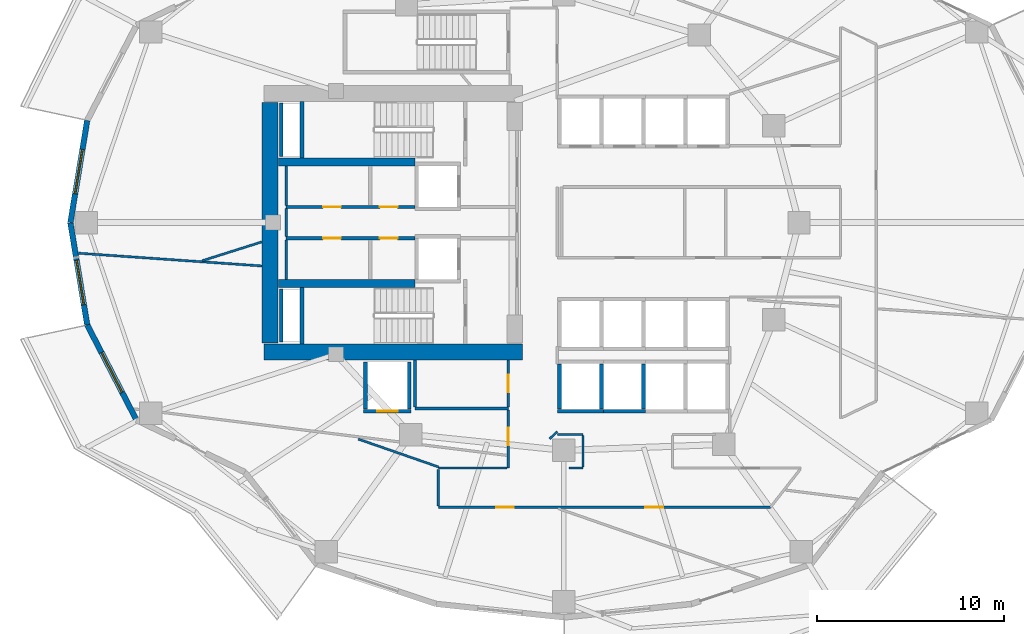
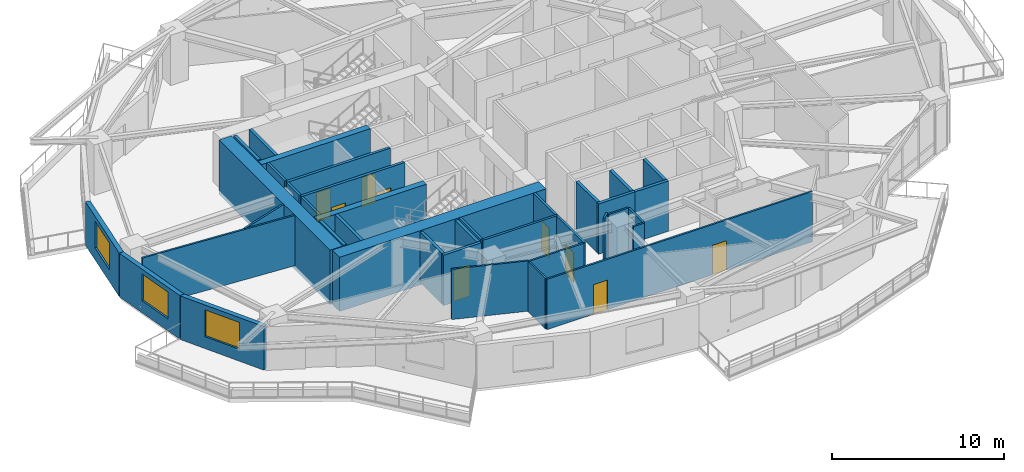
# One storey, part 6 of 13: 38 walls, 9 doors, 3 windows, 12 openings.
"""IFC4 building model written with IfcOpenShell, lengths in metres."""

from ifc_helpers import new_model, si_unit, direction, frame, frame_2d, origin, place, context, subcontext, project, spatial, rectangle, extrude, material, layer, layer_set, type_object, element, fill, save


model = new_model("IFC4")

# Units and contexts
model_context = context("Model", 3, precision=1e-05, world=origin(), true_north=direction((0.0, 1.0)))
body_context = subcontext(model_context, "Body", "Model", "MODEL_VIEW")
ifc_project = project(units=[si_unit("LENGTHUNIT", "METRE"), si_unit("AREAUNIT", "SQUARE_METRE"), si_unit("VOLUMEUNIT", "CUBIC_METRE"), si_unit("PLANEANGLEUNIT", "RADIAN"), si_unit("MASSUNIT", "GRAM", prefix="KILO")], contexts=[model_context])

# Site, building, storey
site_placement = place(None, origin())
site = spatial("IfcSite", under=ifc_project, at=site_placement, CompositionType="ELEMENT")
building_placement = place(site_placement, origin())
building = spatial("IfcBuilding", under=site, at=building_placement, Name="Kolvaren Gate Tower and Convention Centre", CompositionType="ELEMENT")
storey_placement = place(building_placement, frame((0.0, 0.0, 76.550048828125)))
storey = spatial("IfcBuildingStorey", under=building, at=storey_placement, Name="L18", CompositionType="ELEMENT", Elevation=76.550048828125)

# Wall, openings, doors
ifc_material_1 = material(Name="Autoclaved Aerated Masonry Blockwork Class 4 (4.0 MPa)", Category="masonry")
ifc_layer_1 = layer(ifc_material_1, 0.179931640625)
ifc_layer_set_1 = layer_set([ifc_layer_1], Name="Autoclaved Aerated Masonry Blockwork Class 4 (4.0 MPa)")
wall_type_1 = type_object("IfcWallType", Name="ARCH-WL-COMP-180", PredefinedType="SOLIDWALL", material=ifc_layer_set_1)
wall_1_placement = place(storey_placement, frame((15.25, 27.840087890625, 0.0), z_axis=(0.0, 0.0, 1.0), x_axis=(1.0, 0.0, 0.0)))
wall_1 = element("IfcWall", 1, at=wall_1_placement, inside=storey, type_object=wall_type_1, Name="Interior Partition WL-L18-INT-004", PredefinedType="SOLIDWALL", context=body_context, shape_type="SweptSolid", body=[
    extrude(rectangle(XDim=6.89990234375, YDim=0.179931640625, at=frame_2d((3.449951171875, 0.0))), origin(), (0.0, 0.0, 1.0), 3.570068359375),
])
opening_1_placement = place(wall_1_placement, frame((5.02001953125, 0.0, 0.0)))
opening_1 = element("IfcOpeningElement", 2, at=opening_1_placement, cuts=wall_1, Name="Opening DR-01", PredefinedType="OPENING", context=body_context, shape_type="SweptSolid", body=[
    extrude(rectangle(XDim=0.949951171875, YDim=2.10009765625, at=frame_2d((0.47509765625, 1.050048828125))), frame((0.0, 0.099853515625, 0.0), z_axis=(0.0, -1.0, 0.0), x_axis=(1.0, 0.0, 0.0)), (0.0, 0.0, 1.0), 0.199951171875),
])
opening_2_placement = place(wall_1_placement, frame((1.97998046875, 0.0, 0.0)))
opening_2 = element("IfcOpeningElement", 3, at=opening_2_placement, cuts=wall_1, Name="Opening DR-01", PredefinedType="OPENING", context=body_context, shape_type="SweptSolid", body=[
    extrude(rectangle(XDim=0.949951171875, YDim=2.10009765625, at=frame_2d((0.47509765625, 1.050048828125))), frame((0.0, 0.099853515625, 0.0), z_axis=(0.0, -1.0, 0.0), x_axis=(1.0, 0.0, 0.0)), (0.0, 0.0, 1.0), 0.199951171875),
])
ifc_material_2 = material(Name="Painted Architectural Steelwork ASTM A500 Grade C 345 MPa", Category="steel")
door_type_1 = type_object("IfcDoorType", Name="ARCH-DR-RISER-950", OperationType="SINGLE_SWING_RIGHT", PredefinedType="DOOR", material=ifc_material_2)
door_1_placement = place(opening_1_placement, origin())
door_1 = element("IfcDoor", 4, at=door_1_placement, inside=storey, type_object=door_type_1, Name="Electrical Switchgear Closet Door", OperationType="SINGLE_SWING_LEFT", OverallHeight=2.10009765625, OverallWidth=0.949951171875, PredefinedType="DOOR", context=body_context, shape_type="SweptSolid", body=[
    extrude(rectangle(XDim=0.949951171875, YDim=2.10009765625, at=frame_2d((0.47509765625, 1.050048828125))), frame((0.0, 0.02490234375, 0.0), z_axis=(0.0, -1.0, 0.0), x_axis=(1.0, 0.0, 0.0)), (0.0, 0.0, 1.0), 0.050048828125),
])
fill(opening_1, door_1)
door_2_placement = place(opening_2_placement, origin())
door_2 = element("IfcDoor", 5, at=door_2_placement, inside=storey, type_object=door_type_1, Name="Staff Powder Washroom Door", OperationType="SINGLE_SWING_LEFT", OverallHeight=2.10009765625, OverallWidth=0.949951171875, PredefinedType="DOOR", context=body_context, shape_type="SweptSolid", body=[
    extrude(rectangle(XDim=0.949951171875, YDim=2.10009765625, at=frame_2d((0.47509765625, 1.050048828125))), frame((0.0, 0.02490234375, 0.0), z_axis=(0.0, -1.0, 0.0), x_axis=(1.0, 0.0, 0.0)), (0.0, 0.0, 1.0), 0.050048828125),
])
fill(opening_2, door_2)

wall_2_placement = place(storey_placement, frame((15.25, 26.159912109375, 0.0), z_axis=(0.0, 0.0, 1.0), x_axis=(1.0, 0.0, 0.0)))
wall_2 = element("IfcWall", 6, at=wall_2_placement, inside=storey, type_object=wall_type_1, Name="Interior Partition WL-L18-INT-005", PredefinedType="SOLIDWALL", context=body_context, shape_type="SweptSolid", body=[
    extrude(rectangle(XDim=6.89990234375, YDim=0.179931640625, at=frame_2d((3.449951171875, 0.0))), origin(), (0.0, 0.0, 1.0), 3.570068359375),
])
opening_3_placement = place(wall_2_placement, frame((5.02001953125, 0.0, 0.0)))
opening_3 = element("IfcOpeningElement", 7, at=opening_3_placement, cuts=wall_2, Name="Opening DR-01", PredefinedType="OPENING", context=body_context, shape_type="SweptSolid", body=[
    extrude(rectangle(XDim=0.949951171875, YDim=2.10009765625, at=frame_2d((0.47509765625, 1.050048828125))), frame((0.0, 0.099853515625, 0.0), z_axis=(0.0, -1.0, 0.0), x_axis=(1.0, 0.0, 0.0)), (0.0, 0.0, 1.0), 0.199951171875),
])
opening_4_placement = place(wall_2_placement, frame((1.97998046875, 0.0, 0.0)))
opening_4 = element("IfcOpeningElement", 8, at=opening_4_placement, cuts=wall_2, Name="Opening DR-01", PredefinedType="OPENING", context=body_context, shape_type="SweptSolid", body=[
    extrude(rectangle(XDim=0.949951171875, YDim=2.10009765625, at=frame_2d((0.47509765625, 1.050048828125))), frame((0.0, 0.099853515625, 0.0), z_axis=(0.0, -1.0, 0.0), x_axis=(1.0, 0.0, 0.0)), (0.0, 0.0, 1.0), 0.199951171875),
])
door_3_placement = place(opening_3_placement, origin())
door_3 = element("IfcDoor", 9, at=door_3_placement, inside=storey, type_object=door_type_1, Name="Domestic Water Meter Closet Door", OperationType="SINGLE_SWING_RIGHT", OverallHeight=2.10009765625, OverallWidth=0.949951171875, PredefinedType="DOOR", context=body_context, shape_type="SweptSolid", body=[
    extrude(rectangle(XDim=0.949951171875, YDim=2.10009765625, at=frame_2d((0.47509765625, 1.050048828125))), frame((0.0, 0.02490234375, 0.0), z_axis=(0.0, -1.0, 0.0), x_axis=(1.0, 0.0, 0.0)), (0.0, 0.0, 1.0), 0.050048828125),
])
fill(opening_3, door_3)
door_4_placement = place(opening_4_placement, origin())
door_4 = element("IfcDoor", 10, at=door_4_placement, inside=storey, type_object=door_type_1, Name="Janitor Equipment Store Door", OperationType="SINGLE_SWING_RIGHT", OverallHeight=2.10009765625, OverallWidth=0.949951171875, PredefinedType="DOOR", context=body_context, shape_type="SweptSolid", body=[
    extrude(rectangle(XDim=0.949951171875, YDim=2.10009765625, at=frame_2d((0.47509765625, 1.050048828125))), frame((0.0, 0.02490234375, 0.0), z_axis=(0.0, -1.0, 0.0), x_axis=(1.0, 0.0, 0.0)), (0.0, 0.0, 1.0), 0.050048828125),
])
fill(opening_4, door_4)

# Walls
ifc_material_3 = material(Name="Fire-Rated Acoustic Gypsum Stud Partition", Category="gypsum")
ifc_layer_2 = layer(ifc_material_3, 0.1201171875)
ifc_layer_set_2 = layer_set([ifc_layer_2], Name="Fire-Rated Acoustic Gypsum Stud Partition")
wall_type_2 = type_object("IfcWallType", Name="ARCH-WL-PART-120", PredefinedType="PARTITIONING", material=ifc_layer_set_2)
wall_3_placement = place(storey_placement, frame((29.780029296875, 15.64990234375, 0.0), z_axis=(0.0, 0.0, 1.0), x_axis=(1.0, 0.0, 0.0)))
element("IfcWall", 11, at=wall_3_placement, inside=storey, type_object=wall_type_2, Name="Interior Partition WL-L18-INT-017", PredefinedType="PARTITIONING", context=body_context, shape_type="SweptSolid", body=[
    extrude(rectangle(XDim=1.369873046875, YDim=0.1201171875, at=frame_2d((0.68505859375, 0.0))), origin(), (0.0, 0.0, 1.0), 3.570068359375),
])
wall_4_placement = place(storey_placement, frame((23.39990234375, 13.85009765625, 0.0), z_axis=(0.0, 0.0, 1.0), x_axis=(1.0, 0.0, 0.0)))
element("IfcWall", 12, at=wall_4_placement, inside=storey, type_object=wall_type_2, Name="Interior Partition WL-L18-INT-020", PredefinedType="PARTITIONING", context=body_context, shape_type="SweptSolid", body=[
    extrude(rectangle(XDim=3.673095703125, YDim=0.1201171875, at=frame_2d((1.83642578125, 0.0))), origin(), (0.0, 0.0, 1.0), 3.570068359375),
])
wall_5_placement = place(storey_placement, frame((30.39111328125, 13.85009765625, 0.0), z_axis=(0.0, 0.0, 1.0), x_axis=(1.0, 0.0, 0.0)))
element("IfcWall", 13, at=wall_5_placement, inside=storey, type_object=wall_type_2, Name="Interior Partition WL-L18-INT-021", PredefinedType="PARTITIONING", context=body_context, shape_type="SweptSolid", body=[
    extrude(rectangle(XDim=0.7587890625, YDim=0.1201171875, at=frame_2d((0.37939453125, 0.0))), origin(), (0.0, 0.0, 1.0), 3.570068359375),
])

# Wall, openings, doors
wall_6_placement = place(storey_placement, frame((23.39990234375, 11.75, 0.0), z_axis=(0.0, 0.0, 1.0), x_axis=(1.0, 0.0, 0.0)))
wall_6 = element("IfcWall", 14, at=wall_6_placement, inside=storey, type_object=wall_type_2, Name="Interior Partition WL-L18-INT-024", PredefinedType="PARTITIONING", context=body_context, shape_type="SweptSolid", body=[
    extrude(rectangle(XDim=17.798095703125, YDim=0.1201171875, at=frame_2d((8.89892578125, 0.0))), origin(), (0.0, 0.0, 1.0), 3.570068359375),
])
opening_5_placement = place(wall_6_placement, frame((3.09375, 0.0, 0.0)))
opening_5 = element("IfcOpeningElement", 15, at=opening_5_placement, cuts=wall_6, Name="Opening DR-01", PredefinedType="OPENING", context=body_context, shape_type="SweptSolid", body=[
    extrude(rectangle(XDim=0.949951171875, YDim=2.10009765625, at=frame_2d((0.47509765625, 1.050048828125))), frame((0.0, 0.070068359375, 0.0), z_axis=(0.0, -1.0, 0.0), x_axis=(1.0, 0.0, 0.0)), (0.0, 0.0, 1.0), 0.14013671875),
])
opening_6_placement = place(wall_6_placement, frame((11.09130859375, 0.0, 0.0)))
opening_6 = element("IfcOpeningElement", 16, at=opening_6_placement, cuts=wall_6, Name="Opening DR-01", PredefinedType="OPENING", context=body_context, shape_type="SweptSolid", body=[
    extrude(rectangle(XDim=0.949951171875, YDim=2.10009765625, at=frame_2d((0.47509765625, 1.050048828125))), frame((0.0, 0.070068359375, 0.0), z_axis=(0.0, -1.0, 0.0), x_axis=(1.0, 0.0, 0.0)), (0.0, 0.0, 1.0), 0.14013671875),
])
door_5_placement = place(opening_5_placement, origin())
door_5 = element("IfcDoor", 17, at=door_5_placement, inside=storey, type_object=door_type_1, Name="Operations Support Staff Centre Door", OperationType="SINGLE_SWING_LEFT", OverallHeight=2.10009765625, OverallWidth=0.949951171875, PredefinedType="DOOR", context=body_context, shape_type="SweptSolid", body=[
    extrude(rectangle(XDim=0.949951171875, YDim=2.10009765625, at=frame_2d((0.47509765625, 1.050048828125))), frame((0.0, 0.02490234375, 0.0), z_axis=(0.0, -1.0, 0.0), x_axis=(1.0, 0.0, 0.0)), (0.0, 0.0, 1.0), 0.050048828125),
])
fill(opening_5, door_5)
door_6_placement = place(opening_6_placement, origin())
door_6 = element("IfcDoor", 18, at=door_6_placement, inside=storey, type_object=door_type_1, Name="First-Aid Crew Room Door", OperationType="SINGLE_SWING_RIGHT", OverallHeight=2.10009765625, OverallWidth=0.949951171875, PredefinedType="DOOR", context=body_context, shape_type="SweptSolid", body=[
    extrude(rectangle(XDim=0.949951171875, YDim=2.10009765625, at=frame_2d((0.47509765625, 1.050048828125))), frame((0.0, 0.02490234375, 0.0), z_axis=(0.0, -1.0, 0.0), x_axis=(1.0, 0.0, 0.0)), (0.0, 0.0, 1.0), 0.050048828125),
])
fill(opening_6, door_6)

# Walls
wall_7_placement = place(storey_placement, frame((23.39990234375, 11.81201171875, 0.0), z_axis=(0.0, 0.0, 1.0), x_axis=(0.0, 1.0, 0.0)))
element("IfcWall", 19, at=wall_7_placement, inside=storey, type_object=wall_type_2, Name="Interior Partition WL-L18-INT-025", PredefinedType="PARTITIONING", context=body_context, shape_type="SweptSolid", body=[
    extrude(rectangle(XDim=1.97607421875, YDim=0.1201171875, at=frame_2d((0.988037109375, 0.0))), origin(), (0.0, 0.0, 1.0), 3.570068359375),
])
wall_8_placement = place(storey_placement, frame((29.366943359375, 15.422119140625, 0.0), z_axis=(0.0, 0.0, 1.0), x_axis=(0.730667420492, 0.682733564893, 0.0)))
element("IfcWall", 20, at=wall_8_placement, inside=storey, type_object=wall_type_2, Name="Interior Partition WL-L18-INT-040", PredefinedType="PARTITIONING", context=body_context, shape_type="SweptSolid", body=[
    extrude(rectangle(XDim=0.5654296875, YDim=0.1201171875, at=frame_2d((0.28271484375, 0.0))), origin(), (0.0, 0.0, 1.0), 3.570068359375),
])
wall_9_placement = place(storey_placement, frame((31.14990234375, 13.912109375, 0.0), z_axis=(0.0, 0.0, 1.0), x_axis=(0.0, 1.0, 0.0)))
element("IfcWall", 21, at=wall_9_placement, inside=storey, type_object=wall_type_2, Name="Interior Partition WL-L18-INT-041", PredefinedType="PARTITIONING", context=body_context, shape_type="SweptSolid", body=[
    extrude(rectangle(XDim=1.67578125, YDim=0.1201171875, at=frame_2d((0.837890625, 0.0))), origin(), (0.0, 0.0, 1.0), 3.570068359375),
])
wall_10_placement = place(storey_placement, frame((4.1103515625, 25.365966796875, 0.0), z_axis=(0.0, 0.0, 1.0), x_axis=(0.997584166379, -0.069468201287, 0.0)))
element("IfcWall", 22, at=wall_10_placement, inside=storey, type_object=wall_type_2, Name="Interior Partition WL-L18-INT-042", PredefinedType="PARTITIONING", context=body_context, shape_type="SweptSolid", body=[
    extrude(rectangle(XDim=9.861572265625, YDim=0.1201171875, at=frame_2d((4.9306640625, 0.0))), origin(), (0.0, 0.0, 1.0), 3.570068359375),
])
wall_11_placement = place(storey_placement, frame((19.11865234375, 15.403564453125, 0.0), z_axis=(0.0, 0.0, 1.0), x_axis=(0.94466257089, -0.32804363606, 0.0)))
element("IfcWall", 23, at=wall_11_placement, inside=storey, type_object=wall_type_2, Name="Interior Partition WL-L18-INT-047", PredefinedType="PARTITIONING", context=body_context, shape_type="SweptSolid", body=[
    extrude(rectangle(XDim=4.546630859375, YDim=0.1201171875, at=frame_2d((2.2734375, 0.0))), origin(), (0.0, 0.0, 1.0), 3.570068359375),
])
wall_12_placement = place(storey_placement, frame((10.76220703125, 24.965087890625, 0.0), z_axis=(0.0, 0.0, 1.0), x_axis=(0.953640082092, 0.300949487168, 0.0)))
element("IfcWall", 24, at=wall_12_placement, inside=storey, type_object=wall_type_2, Name="Interior Partition WL-L18-INT-049", PredefinedType="PARTITIONING", context=body_context, shape_type="SweptSolid", body=[
    extrude(rectangle(XDim=3.340576171875, YDim=0.1201171875, at=frame_2d((1.67041015625, 0.0))), origin(), (0.0, 0.0, 1.0), 3.570068359375),
])

# Wall, opening, door
ifc_layer_3 = layer(ifc_material_1, 0.199951171875)
ifc_layer_set_3 = layer_set([ifc_layer_3], Name="Autoclaved Aerated Masonry Blockwork Class 4 (4.0 MPa)")
wall_type_3 = type_object("IfcWallType", Name="ARCH-WL-SHAFT-200", PredefinedType="SOLIDWALL", material=ifc_layer_set_3)
wall_13_placement = place(storey_placement, frame((19.39990234375, 16.89990234375, 0.0), z_axis=(0.0, 0.0, 1.0), x_axis=(1.0, 0.0, 0.0)))
wall_13 = element("IfcWall", 25, at=wall_13_placement, inside=storey, type_object=wall_type_3, Name="Elevator SV-01 L18 Fire Shaft Wall S", PredefinedType="SOLIDWALL", context=body_context, shape_type="SweptSolid", body=[
    extrude(rectangle(XDim=2.550048828125, YDim=0.199951171875, at=frame_2d((1.27490234375, 0.0))), origin(), (0.0, 0.0, 1.0), 3.570068359375),
])
opening_7_placement = place(wall_13_placement, frame((0.72509765625, 0.0, 0.0)))
opening_7 = element("IfcOpeningElement", 26, at=opening_7_placement, cuts=wall_13, Name="Opening LD", PredefinedType="OPENING", context=body_context, shape_type="SweptSolid", body=[
    extrude(rectangle(XDim=1.10009765625, YDim=2.199951171875, at=frame_2d((0.550048828125, 1.10009765625))), frame((0.0, 0.10986328125, 0.0), z_axis=(0.0, -1.0, 0.0), x_axis=(1.0, 0.0, 0.0)), (0.0, 0.0, 1.0), 0.219970703125),
])
ifc_material_4 = material(Name="Brushed Stainless Steel Grade 316L", Category="steel")
door_type_2 = type_object("IfcDoorType", Name="ARCH-DR-LIFT-1100", OperationType="SLIDING_TO_LEFT", PredefinedType="DOOR", material=ifc_material_4)
door_7_placement = place(opening_7_placement, origin())
door_7 = element("IfcDoor", 27, at=door_7_placement, inside=storey, type_object=door_type_2, Name="Elevator SV-01 L18 Sliding Landing Door", OperationType="SLIDING_TO_LEFT", OverallHeight=2.199951171875, OverallWidth=1.10009765625, PredefinedType="DOOR", context=body_context, shape_type="SweptSolid", body=[
    extrude(rectangle(XDim=1.10009765625, YDim=2.199951171875, at=frame_2d((0.550048828125, 1.10009765625))), frame((0.0, 0.02490234375, 0.0), z_axis=(0.0, -1.0, 0.0), x_axis=(1.0, 0.0, 0.0)), (0.0, 0.0, 1.0), 0.050048828125),
])
fill(opening_7, door_7)

# Walls
for number, where, z_axis, x_axis, name in (
    (28, (19.5, 17.010009765625, 0.0), (0.0, 0.0, 1.0), (0.0, 1.0, 0.0), "Elevator SV-01 L18 Fire Shaft Wall W"),
    (29, (21.85009765625, 17.010009765625, 0.0), (0.0, 0.0, 1.0), (0.0, 1.0, 0.0), "Elevator SV-01 L18 Fire Shaft Wall E"),
):
    element("IfcWall", number, at=place(storey_placement, frame(where, z_axis=z_axis, x_axis=x_axis)), inside=storey, type_object=wall_type_3, Name=name, PredefinedType="SOLIDWALL", context=body_context, shape_type="SweptSolid", body=[
        extrude(rectangle(XDim=2.530029296875, YDim=0.199951171875, at=frame_2d((1.26513671875, 0.0))), origin(), (0.0, 0.0, 1.0), 3.570068359375),
    ])
wall_14_placement = place(storey_placement, frame((29.800048828125, 16.89990234375, 0.0), z_axis=(0.0, 0.0, 1.0), x_axis=(1.0, 0.0, 0.0)))
element("IfcWall", 30, at=wall_14_placement, inside=storey, type_object=wall_type_3, Name="Elevator PL-05 L18 Fire Shaft Wall S", PredefinedType="SOLIDWALL", context=body_context, shape_type="SweptSolid", body=[
    extrude(rectangle(XDim=2.449951171875, YDim=0.199951171875, at=frame_2d((1.22509765625, 0.0))), origin(), (0.0, 0.0, 1.0), 3.570068359375),
])
for number, where, z_axis, x_axis, name in (
    (31, (29.89990234375, 17.010009765625, 0.0), (0.0, 0.0, 1.0), (0.0, 1.0, 0.0), "Elevator PL-05 L18 Fire Shaft Wall W"),
    (32, (32.14990234375, 17.010009765625, 0.0), (0.0, 0.0, 1.0), (0.0, 1.0, 0.0), "Elevator PL-05 L18 Fire Shaft Wall E"),
):
    element("IfcWall", number, at=place(storey_placement, frame(where, z_axis=z_axis, x_axis=x_axis)), inside=storey, type_object=wall_type_3, Name=name, PredefinedType="SOLIDWALL", context=body_context, shape_type="SweptSolid", body=[
        extrude(rectangle(XDim=2.429931640625, YDim=0.199951171875, at=frame_2d((1.21484375, 0.0))), origin(), (0.0, 0.0, 1.0), 3.570068359375),
    ])
wall_15_placement = place(storey_placement, frame((32.25, 16.89990234375, 0.0), z_axis=(0.0, 0.0, 1.0), x_axis=(1.0, 0.0, 0.0)))
element("IfcWall", 33, at=wall_15_placement, inside=storey, type_object=wall_type_3, Name="Elevator PL-06 L18 Fire Shaft Wall S", PredefinedType="SOLIDWALL", context=body_context, shape_type="SweptSolid", body=[
    extrude(rectangle(XDim=2.25, YDim=0.199951171875, at=frame_2d((1.125, 0.0))), origin(), (0.0, 0.0, 1.0), 3.570068359375),
])
wall_16_placement = place(storey_placement, frame((34.39990234375, 17.010009765625, 0.0), z_axis=(0.0, 0.0, 1.0), x_axis=(0.0, 1.0, 0.0)))
element("IfcWall", 34, at=wall_16_placement, inside=storey, type_object=wall_type_3, Name="Elevator PL-06 L18 Fire Shaft Wall E", PredefinedType="SOLIDWALL", context=body_context, shape_type="SweptSolid", body=[
    extrude(rectangle(XDim=2.429931640625, YDim=0.199951171875, at=frame_2d((1.21484375, 0.0))), origin(), (0.0, 0.0, 1.0), 3.570068359375),
])
for number, where, z_axis, x_axis, name in (
    (35, (14.989990234375, 30.550048828125, 0.0), (0.0, 0.0, 1.0), (0.0, 1.0, 0.0), "Vertical Shaft HVR L18 EI-120 Enclosure Wall W"),
    (36, (14.989990234375, 20.60009765625, 0.0), (0.0, 0.0, 1.0), (0.0, 1.0, 0.0), "Vertical Shaft MPR L18 EI-120 Enclosure Wall W"),
):
    element("IfcWall", number, at=place(storey_placement, frame(where, z_axis=z_axis, x_axis=x_axis)), inside=storey, type_object=wall_type_3, Name=name, PredefinedType="SOLIDWALL", context=body_context, shape_type="SweptSolid", body=[
        extrude(rectangle(XDim=2.849853515625, YDim=0.199951171875, at=frame_2d((1.4248046875, 0.0))), origin(), (0.0, 0.0, 1.0), 3.570068359375),
    ])

# Wall, opening, window
ifc_material_5 = material(Name="Piedmont Cream Honed Limestone Cladding", Category="masonry")
ifc_layer_4 = layer(ifc_material_5, 0.300048828125)
ifc_layer_set_4 = layer_set([ifc_layer_4], Name="Piedmont Cream Honed Limestone Cladding")
wall_type_4 = type_object("IfcWallType", Name="ARCH-WL-STONE-300", PredefinedType="SOLIDWALL", material=ifc_layer_set_4)
wall_17_placement = place(storey_placement, frame((3.6875, 27.0, 0.0), z_axis=(0.0, 0.0, 1.0), x_axis=(0.162386212206, 0.986727276447, 0.0)))
wall_17 = element("IfcWall", 37, at=wall_17_placement, inside=storey, type_object=wall_type_4, Name="Tower L18 Honed Stone Spandrel Wall EW-11", PredefinedType="SOLIDWALL", context=body_context, shape_type="SweptSolid", body=[
    extrude(rectangle(XDim=5.5478515625, YDim=0.300048828125, at=frame_2d((2.77392578125, 0.0))), origin(), (0.0, 0.0, 1.0), 3.093017578125),
])
opening_8_placement = place(wall_17_placement, frame((1.573974609375, 0.0, 0.85009765625)))
opening_8 = element("IfcOpeningElement", 38, at=opening_8_placement, cuts=wall_17, Name="Opening W-01", PredefinedType="OPENING", context=body_context, shape_type="SweptSolid", body=[
    extrude(rectangle(XDim=2.39990234375, YDim=1.89990234375, at=frame_2d((1.199951171875, 0.949951171875))), frame((0.0, 0.159912109375, 0.0), z_axis=(0.0, -1.0, 0.0), x_axis=(1.0, 0.0, 0.0)), (0.0, 0.0, 1.0), 0.320068359375),
])
ifc_material_6 = material(Name="Low-E Triple Insulated Glazing Unit 44 mm", Category="glass")
window_type = type_object("IfcWindowType", Name="ARCH-WN-OFF-2400", PartitioningType="SINGLE_PANEL", PredefinedType="WINDOW", material=ifc_material_6)
window_1_placement = place(opening_8_placement, origin())
window_1 = element("IfcWindow", 39, at=window_1_placement, inside=storey, type_object=window_type, Name="Tower L18 Punched Stone Facade Window W-11", OverallHeight=1.89990234375, OverallWidth=2.39990234375, PartitioningType="SINGLE_PANEL", PredefinedType="WINDOW", context=body_context, shape_type="SweptSolid", body=[
    extrude(rectangle(XDim=2.39990234375, YDim=1.89990234375, at=frame_2d((1.199951171875, 0.949951171875))), frame((0.0, 0.030029296875, 0.0), z_axis=(0.0, -1.0, 0.0), x_axis=(1.0, 0.0, 0.0)), (0.0, 0.0, 1.0), 0.06005859375),
])
fill(opening_8, window_1)

wall_18_placement = place(storey_placement, frame((3.6875, 27.0, 0.0), z_axis=(0.0, 0.0, 1.0), x_axis=(0.162386212206, -0.986727276447, 0.0)))
wall_18 = element("IfcWall", 40, at=wall_18_placement, inside=storey, type_object=wall_type_4, Name="Tower L18 Honed Stone Spandrel Wall EW-12", PredefinedType="SOLIDWALL", context=body_context, shape_type="SweptSolid", body=[
    extrude(rectangle(XDim=5.5478515625, YDim=0.300048828125, at=frame_2d((2.77392578125, 0.0))), origin(), (0.0, 0.0, 1.0), 3.093017578125),
])
opening_9_placement = place(wall_18_placement, frame((2.050048828125, 0.0, 0.85009765625)))
opening_9 = element("IfcOpeningElement", 41, at=opening_9_placement, cuts=wall_18, Name="Opening W-01", PredefinedType="OPENING", context=body_context, shape_type="SweptSolid", body=[
    extrude(rectangle(XDim=2.39990234375, YDim=1.89990234375, at=frame_2d((1.199951171875, 0.949951171875))), frame((0.0, 0.159912109375, 0.0), z_axis=(0.0, -1.0, 0.0), x_axis=(1.0, 0.0, 0.0)), (0.0, 0.0, 1.0), 0.320068359375),
])
window_2_placement = place(opening_9_placement, origin())
window_2 = element("IfcWindow", 42, at=window_2_placement, inside=storey, type_object=window_type, Name="Tower L18 Punched Stone Facade Window W-12", OverallHeight=1.89990234375, OverallWidth=2.39990234375, PartitioningType="SINGLE_PANEL", PredefinedType="WINDOW", context=body_context, shape_type="SweptSolid", body=[
    extrude(rectangle(XDim=2.39990234375, YDim=1.89990234375, at=frame_2d((1.199951171875, 0.949951171875))), frame((0.0, 0.030029296875, 0.0), z_axis=(0.0, -1.0, 0.0), x_axis=(1.0, 0.0, 0.0)), (0.0, 0.0, 1.0), 0.06005859375),
])
fill(opening_9, window_2)

wall_19_placement = place(storey_placement, frame((4.58837890625, 21.52587890625, 0.0), z_axis=(0.0, 0.0, 1.0), x_axis=(0.459800981414, -0.888021991558, 0.0)))
wall_19 = element("IfcWall", 43, at=wall_19_placement, inside=storey, type_object=wall_type_4, Name="Tower L18 Honed Stone Spandrel Wall EW-13", PredefinedType="SOLIDWALL", context=body_context, shape_type="SweptSolid", body=[
    extrude(rectangle(XDim=5.744140625, YDim=0.300048828125, at=frame_2d((2.8720703125, 0.0))), origin(), (0.0, 0.0, 1.0), 3.093017578125),
])
opening_10_placement = place(wall_19_placement, frame((1.672119140625, 0.0, 0.85009765625)))
opening_10 = element("IfcOpeningElement", 44, at=opening_10_placement, cuts=wall_19, Name="Opening W-01", PredefinedType="OPENING", context=body_context, shape_type="SweptSolid", body=[
    extrude(rectangle(XDim=2.39990234375, YDim=1.89990234375, at=frame_2d((1.199951171875, 0.949951171875))), frame((0.0, 0.159912109375, 0.0), z_axis=(0.0, -1.0, 0.0), x_axis=(1.0, 0.0, 0.0)), (0.0, 0.0, 1.0), 0.320068359375),
])
window_3_placement = place(opening_10_placement, origin())
window_3 = element("IfcWindow", 45, at=window_3_placement, inside=storey, type_object=window_type, Name="Tower L18 Punched Stone Facade Window W-13", OverallHeight=1.89990234375, OverallWidth=2.39990234375, PartitioningType="SINGLE_PANEL", PredefinedType="WINDOW", context=body_context, shape_type="SweptSolid", body=[
    extrude(rectangle(XDim=2.39990234375, YDim=1.89990234375, at=frame_2d((1.199951171875, 0.949951171875))), frame((0.0, 0.030029296875, 0.0), z_axis=(0.0, -1.0, 0.0), x_axis=(1.0, 0.0, 0.0)), (0.0, 0.0, 1.0), 0.06005859375),
])
fill(opening_10, window_3)

# Walls
ifc_material_7 = material(Name="Moisture-Resistant Cement-Board Acoustic Partition", Category="gypsum")
ifc_layer_5 = layer(ifc_material_7, 0.14990234375)
ifc_layer_set_5 = layer_set([ifc_layer_5], Name="Moisture-Resistant Cement-Board Acoustic Partition")
wall_type_5 = type_object("IfcWallType", Name="ARCH-WL-WET-150", PredefinedType="PARTITIONING", material=ifc_layer_set_5)
wall_20_placement = place(storey_placement, frame((15.25, 23.9619140625, 0.0), z_axis=(0.0, 0.0, 1.0), x_axis=(0.0, 1.0, 0.0)))
element("IfcWall", 46, at=wall_20_placement, inside=storey, type_object=wall_type_5, Name="Interior Partition WL-L18-INT-006", PredefinedType="PARTITIONING", context=body_context, shape_type="SweptSolid", body=[
    extrude(rectangle(XDim=2.106201171875, YDim=0.14990234375, at=frame_2d((1.05322265625, 0.0))), origin(), (0.0, 0.0, 1.0), 3.570068359375),
])
wall_21_placement = place(storey_placement, frame((15.25, 26.251953125, 0.0), z_axis=(0.0, 0.0, 1.0), x_axis=(0.0, 1.0, 0.0)))
element("IfcWall", 47, at=wall_21_placement, inside=storey, type_object=wall_type_5, Name="Interior Partition WL-L18-INT-006 (2)", PredefinedType="PARTITIONING", context=body_context, shape_type="SweptSolid", body=[
    extrude(rectangle(XDim=1.49609375, YDim=0.14990234375, at=frame_2d((0.748046875, 0.0))), origin(), (0.0, 0.0, 1.0), 3.570068359375),
])
wall_22_placement = place(storey_placement, frame((15.25, 27.931884765625, 0.0), z_axis=(0.0, 0.0, 1.0), x_axis=(0.0, 1.0, 0.0)))
element("IfcWall", 48, at=wall_22_placement, inside=storey, type_object=wall_type_5, Name="Interior Partition WL-L18-INT-006 (3)", PredefinedType="PARTITIONING", context=body_context, shape_type="SweptSolid", body=[
    extrude(rectangle(XDim=2.106201171875, YDim=0.14990234375, at=frame_2d((1.05322265625, 0.0))), origin(), (0.0, 0.0, 1.0), 3.570068359375),
])
wall_23_placement = place(storey_placement, frame((22.14990234375, 17.050048828125, 0.0), z_axis=(0.0, 0.0, 1.0), x_axis=(1.0, 0.0, 0.0)))
element("IfcWall", 49, at=wall_23_placement, inside=storey, type_object=wall_type_5, Name="Interior Partition WL-L18-INT-009", PredefinedType="PARTITIONING", context=body_context, shape_type="SweptSolid", body=[
    extrude(rectangle(XDim=5.0, YDim=0.14990234375, at=frame_2d((2.5, 0.0))), origin(), (0.0, 0.0, 1.0), 3.570068359375),
])
wall_24_placement = place(storey_placement, frame((22.14990234375, 17.126953125, 0.0), z_axis=(0.0, 0.0, 1.0), x_axis=(0.0, 1.0, 0.0)))
element("IfcWall", 50, at=wall_24_placement, inside=storey, type_object=wall_type_5, Name="Interior Partition WL-L18-INT-010", PredefinedType="PARTITIONING", context=body_context, shape_type="SweptSolid", body=[
    extrude(rectangle(XDim=2.52099609375, YDim=0.14990234375, at=frame_2d((1.260498046875, 0.0))), origin(), (0.0, 0.0, 1.0), 3.570068359375),
])

# Wall, opening, door
wall_25_placement = place(storey_placement, frame((27.14990234375, 13.85009765625, 0.0), z_axis=(0.0, 0.0, 1.0), x_axis=(0.0, 1.0, 0.0)))
wall_25 = element("IfcWall", 51, at=wall_25_placement, inside=storey, type_object=wall_type_5, Name="Interior Partition WL-L18-INT-011", PredefinedType="PARTITIONING", context=body_context, shape_type="SweptSolid", body=[
    extrude(rectangle(XDim=3.122802734375, YDim=0.14990234375, at=frame_2d((1.5615234375, 0.0))), origin(), (0.0, 0.0, 1.0), 3.570068359375),
])
opening_11_placement = place(wall_25_placement, frame((1.218017578125, 0.0, 0.0)))
opening_11 = element("IfcOpeningElement", 52, at=opening_11_placement, cuts=wall_25, Name="Opening DR-01", PredefinedType="OPENING", context=body_context, shape_type="SweptSolid", body=[
    extrude(rectangle(XDim=0.949951171875, YDim=2.10009765625, at=frame_2d((0.47509765625, 1.050048828125))), frame((0.0, 0.0849609375, 0.0), z_axis=(0.0, -1.0, 0.0), x_axis=(1.0, 0.0, 0.0)), (0.0, 0.0, 1.0), 0.169921875),
])
door_8_placement = place(opening_11_placement, origin())
door_8 = element("IfcDoor", 53, at=door_8_placement, inside=storey, type_object=door_type_1, Name="Operations Support Staff Centre Door", OperationType="SINGLE_SWING_RIGHT", OverallHeight=2.10009765625, OverallWidth=0.949951171875, PredefinedType="DOOR", context=body_context, shape_type="SweptSolid", body=[
    extrude(rectangle(XDim=0.949951171875, YDim=2.10009765625, at=frame_2d((0.47509765625, 1.050048828125))), frame((0.0, 0.02490234375, 0.0), z_axis=(0.0, -1.0, 0.0), x_axis=(1.0, 0.0, 0.0)), (0.0, 0.0, 1.0), 0.050048828125),
])
fill(opening_11, door_8)

wall_26_placement = place(storey_placement, frame((27.14990234375, 17.126953125, 0.0), z_axis=(0.0, 0.0, 1.0), x_axis=(0.0, 1.0, 0.0)))
wall_26 = element("IfcWall", 54, at=wall_26_placement, inside=storey, type_object=wall_type_5, Name="Interior Partition WL-L18-INT-011 (2)", PredefinedType="PARTITIONING", context=body_context, shape_type="SweptSolid", body=[
    extrude(rectangle(XDim=2.52099609375, YDim=0.14990234375, at=frame_2d((1.260498046875, 0.0))), origin(), (0.0, 0.0, 1.0), 3.570068359375),
])
opening_12_placement = place(wall_26_placement, frame((0.785400390625, 0.0, 0.0)))
opening_12 = element("IfcOpeningElement", 55, at=opening_12_placement, cuts=wall_26, Name="Opening DR-01", PredefinedType="OPENING", context=body_context, shape_type="SweptSolid", body=[
    extrude(rectangle(XDim=0.949951171875, YDim=2.10009765625, at=frame_2d((0.47509765625, 1.050048828125))), frame((0.0, 0.0849609375, 0.0), z_axis=(0.0, -1.0, 0.0), x_axis=(1.0, 0.0, 0.0)), (0.0, 0.0, 1.0), 0.169921875),
])
door_9_placement = place(opening_12_placement, origin())
door_9 = element("IfcDoor", 56, at=door_9_placement, inside=storey, type_object=door_type_1, Name="West Linen and Supply Store Door", OperationType="SINGLE_SWING_LEFT", OverallHeight=2.10009765625, OverallWidth=0.949951171875, PredefinedType="DOOR", context=body_context, shape_type="SweptSolid", body=[
    extrude(rectangle(XDim=0.949951171875, YDim=2.10009765625, at=frame_2d((0.47509765625, 1.050048828125))), frame((0.0, 0.02490234375, 0.0), z_axis=(0.0, -1.0, 0.0), x_axis=(1.0, 0.0, 0.0)), (0.0, 0.0, 1.0), 0.050048828125),
])
fill(opening_12, door_9)

# Walls
ifc_material_8 = material(Name="Concrete C50/60", Category="concrete")
ifc_layer_6 = layer(ifc_material_8, 0.419921875)
ifc_layer_set_6 = layer_set([ifc_layer_6], Name="Concrete C50/60")
wall_type_6 = type_object("IfcWallType", Name="STR-WL-CONV-420", PredefinedType="SHEAR", material=ifc_layer_set_6)
for number, where, z_axis, x_axis, name in (
    (57, (14.85009765625, 30.25, -0.280029296875), (0.0, 0.0, 1.0), (1.0, 0.0, 0.0), "Tower L18 Offset Core Shear Wall WN"),
    (58, (14.85009765625, 23.75, -0.280029296875), (0.0, 0.0, 1.0), (1.0, 0.0, 0.0), "Tower L18 Offset Core Shear Wall WS"),
):
    element("IfcWall", number, at=place(storey_placement, frame(where, z_axis=z_axis, x_axis=x_axis)), inside=storey, type_object=wall_type_6, Name=name, PredefinedType="SHEAR", context=body_context, shape_type="SweptSolid", body=[
        extrude(rectangle(XDim=7.2998046875, YDim=0.419921875, at=frame_2d((3.64990234375, 0.0))), origin(), (0.0, 0.0, 1.0), 3.85009765625),
    ])
ifc_material_9 = material(Name="Concrete C70/85", Category="concrete")
ifc_layer_7 = layer(ifc_material_9, 0.85009765625)
ifc_layer_set_7 = layer_set([ifc_layer_7], Name="Concrete C70/85")
wall_type_7 = type_object("IfcWallType", Name="STR-WL-CORE-850", PredefinedType="SHEAR", material=ifc_layer_set_7)
wall_27_placement = place(storey_placement, frame((14.074951171875, 20.074951171875, -0.280029296875), z_axis=(0.0, 0.0, 1.0), x_axis=(1.0, 0.0, 0.0)))
element("IfcWall", 59, at=wall_27_placement, inside=storey, type_object=wall_type_7, Name="Tower L18 Offset Core Shear Wall S", PredefinedType="SHEAR", context=body_context, shape_type="SweptSolid", body=[
    extrude(rectangle(XDim=13.85009765625, YDim=0.85009765625, at=frame_2d((6.925048828125, 0.0))), origin(), (0.0, 0.0, 1.0), 3.85009765625),
])
wall_28_placement = place(storey_placement, frame((14.375, 20.550048828125, -0.280029296875), z_axis=(0.0, 0.0, 1.0), x_axis=(0.0, 1.0, 0.0)))
element("IfcWall", 60, at=wall_28_placement, inside=storey, type_object=wall_type_7, Name="Tower L18 Offset Core Shear Wall W", PredefinedType="SHEAR", context=body_context, shape_type="SweptSolid", body=[
    extrude(rectangle(XDim=12.89990234375, YDim=0.85009765625, at=frame_2d((6.449951171875, 0.0))), origin(), (0.0, 0.0, 1.0), 3.85009765625),
])
ifc_layer_8 = layer(ifc_material_8, 0.199951171875)
ifc_layer_set_8 = layer_set([ifc_layer_8], Name="Concrete C50/60")
wall_type_8 = type_object("IfcWallType", Name="STR-WL-SHAFT-200", PredefinedType="SHEAR", material=ifc_layer_set_8)
for number, where, z_axis, x_axis, name in (
    (61, (16.10009765625, 30.4619140625, -0.280029296875), (0.0, 0.0, 1.0), (0.0, 1.0, 0.0), "Tower North Exit Stair ST-T1 L18 Structural Shear Enclosure Wall FAR"),
    (62, (16.10009765625, 20.501953125, -0.280029296875), (0.0, 0.0, 1.0), (0.0, 1.0, 0.0), "Tower South Exit Stair ST-T2 L18 Structural Shear Enclosure Wall FAR"),
):
    element("IfcWall", number, at=place(storey_placement, frame(where, z_axis=z_axis, x_axis=x_axis)), inside=storey, type_object=wall_type_8, Name=name, PredefinedType="SHEAR", context=body_context, shape_type="SweptSolid", body=[
        extrude(rectangle(XDim=3.0361328125, YDim=0.199951171875, at=frame_2d((1.51806640625, 0.0))), origin(), (0.0, 0.0, 1.0), 3.85009765625),
    ])

save(model, "model.ifc")
